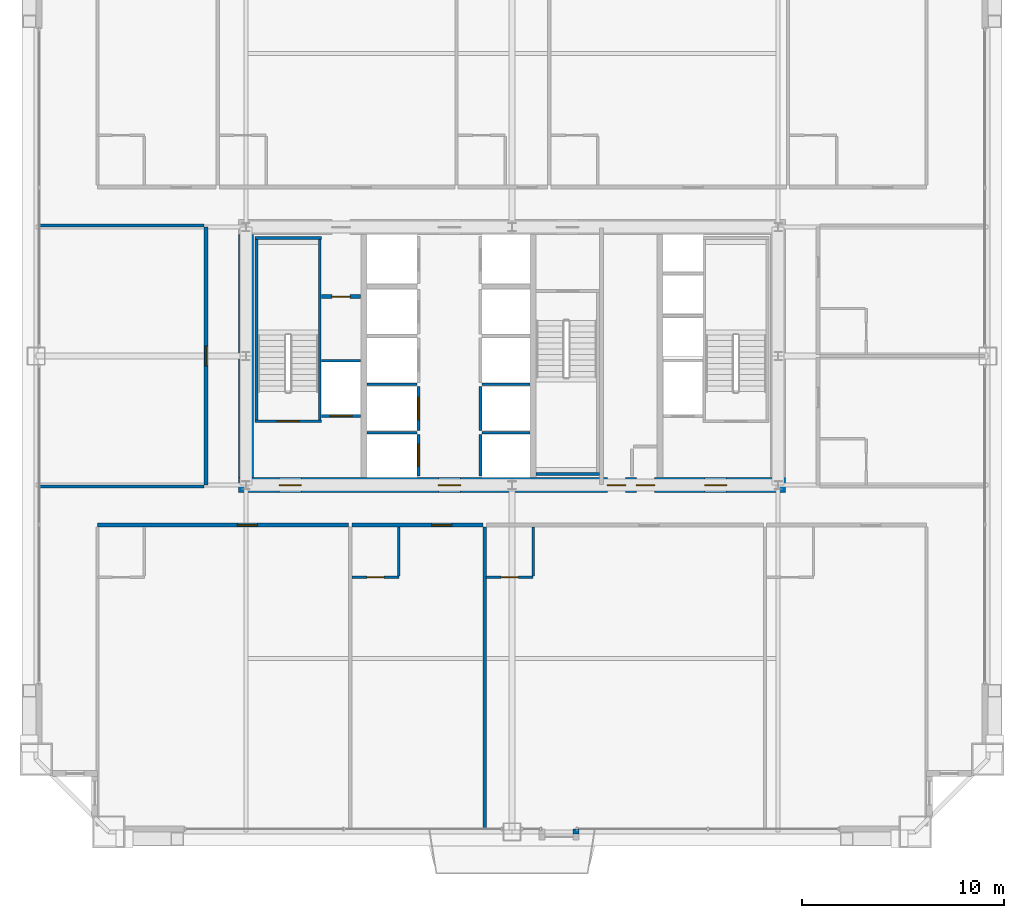
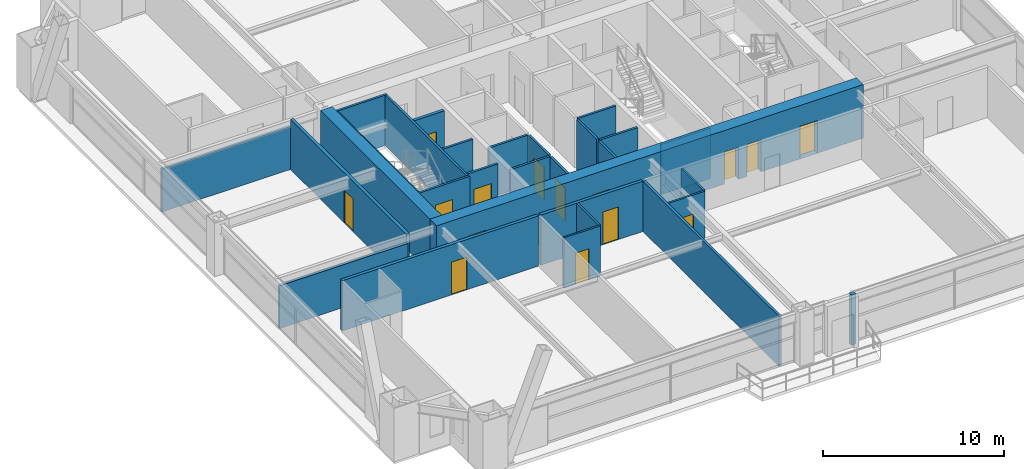
# One storey, part 37 of 41: 29 walls, 15 doors, 15 openings.
"""IFC4 building model written with IfcOpenShell, lengths in metres."""

from ifc_helpers import new_model, si_unit, direction, frame, frame_2d, origin, place, context, subcontext, project, spatial, rectangle, extrude, source, transform, mapped, material, layer, layer_set, type_object, element, fill, save


model = new_model("IFC4")

# Units and contexts
model_context = context("Model", 3, precision=1e-05, world=origin(), true_north=direction((0.0, 1.0)))
body_context = subcontext(model_context, "Body", "Model", "MODEL_VIEW")
ifc_project = project(units=[si_unit("LENGTHUNIT", "METRE"), si_unit("AREAUNIT", "SQUARE_METRE"), si_unit("VOLUMEUNIT", "CUBIC_METRE"), si_unit("PLANEANGLEUNIT", "RADIAN"), si_unit("MASSUNIT", "GRAM", prefix="KILO"), si_unit("THERMODYNAMICTEMPERATUREUNIT", "KELVIN"), si_unit("POWERUNIT", "WATT")], contexts=[model_context])

# Site, building, storey
site_placement = place(None, origin())
site = spatial("IfcSite", under=ifc_project, at=site_placement, CompositionType="ELEMENT")
building_placement = place(site_placement, origin())
building = spatial("IfcBuilding", under=site, at=building_placement, Name="Yuzanri Waterfront Tower", CompositionType="ELEMENT")
storey_placement = place(building_placement, frame((0.0, 0.0, 122.60009765625)))
storey = spatial("IfcBuildingStorey", under=building, at=storey_placement, Name="L32", CompositionType="ELEMENT", Elevation=122.60009765625)

# Wall, opening, door
ifc_material_1 = material(Name="Moisture-Resistant Gypsum Stud Wall", Category="gypsum")
ifc_layer_1 = layer(ifc_material_1, 0.1201171875)
ifc_layer_set_1 = layer_set([ifc_layer_1], Name="Moisture-Resistant Gypsum Stud Wall")
wall_type_1 = type_object("IfcWallType", Name="Bathroom and Kitchen Wet Partition 120", PredefinedType="PARTITIONING", material=ifc_layer_set_1)
wall_1_placement = place(storey_placement, frame((29.06201171875, 14.840087890625, 0.0), z_axis=(0.0, 0.0, 1.0), x_axis=(1.0, 0.0, 0.0)))
wall_1 = element("IfcWall", 1, at=wall_1_placement, inside=storey, type_object=wall_type_1, Name="L32 Partition UW-L32-S2-BS", PredefinedType="PARTITIONING", context=body_context, shape_type="SweptSolid", body=[
    extrude(rectangle(XDim=2.330078125, YDim=0.1201171875, at=frame_2d((1.1650390625, 0.0))), origin(), (0.0, 0.0, 1.0), 3.3798828125),
])
opening_1_placement = place(wall_1_placement, frame((0.739990234375, 0.0, 0.0)))
opening_1 = element("IfcOpeningElement", 2, at=opening_1_placement, cuts=wall_1, Name="Opening ID-0850", PredefinedType="OPENING", context=body_context, shape_type="SweptSolid", body=[
    extrude(rectangle(XDim=0.85009765625, YDim=2.10009765625, at=frame_2d((0.425048828125, 1.050048828125))), frame((0.0, 0.074951171875, 0.0), z_axis=(0.0, -1.0, 0.0), x_axis=(1.0, 0.0, 0.0)), (0.0, 0.0, 1.0), 0.14990234375),
])
ifc_material_2 = material(Name="Moisture-Resistant Lacquered Timber", Category="wood")
door_type_1 = type_object("IfcDoorType", Name="En-Suite Bathroom and Kitchen Swing Door 850x2100", OperationType="NOTDEFINED", PredefinedType="DOOR", material=ifc_material_2)
shared_shape_1 = source(origin(), body_context, "Body", "SweptSolid", [
    extrude(rectangle(XDim=0.85009765625, YDim=2.10009765625, at=frame_2d((0.425048828125, 1.050048828125))), frame((0.0, 0.02490234375, 0.0), z_axis=(0.0, -1.0, 0.0), x_axis=(1.0, 0.0, 0.0)), (0.0, 0.0, 1.0), 0.050048828125),
])
door_1_placement = place(opening_1_placement, origin())
door_1 = element("IfcDoor", 3, at=door_1_placement, inside=storey, type_object=door_type_1, Name="L32 Guest En-Suite Door", OperationType="SINGLE_SWING_RIGHT", OverallHeight=2.10009765625, OverallWidth=0.85009765625, PredefinedType="DOOR", context=body_context, shape_type="MappedRepresentation", body=[
    mapped(shared_shape_1, transform((0.0, 0.0, 0.0), scale=1.0)),
])
fill(opening_1, door_1)

wall_2_placement = place(storey_placement, frame((35.722900390625, 14.840087890625, 0.0), z_axis=(0.0, 0.0, 1.0), x_axis=(1.0, 0.0, 0.0)))
wall_2 = element("IfcWall", 4, at=wall_2_placement, inside=storey, type_object=wall_type_1, Name="L32 Partition UW-L32-S3-BS", PredefinedType="PARTITIONING", context=body_context, shape_type="SweptSolid", body=[
    extrude(rectangle(XDim=2.330078125, YDim=0.1201171875, at=frame_2d((1.1650390625, 0.0))), origin(), (0.0, 0.0, 1.0), 3.3798828125),
])
opening_2_placement = place(wall_2_placement, frame((0.739990234375, 0.0, 0.0)))
opening_2 = element("IfcOpeningElement", 5, at=opening_2_placement, cuts=wall_2, Name="Opening ID-0850", PredefinedType="OPENING", context=body_context, shape_type="SweptSolid", body=[
    extrude(rectangle(XDim=0.85009765625, YDim=2.10009765625, at=frame_2d((0.425048828125, 1.050048828125))), frame((0.0, 0.074951171875, 0.0), z_axis=(0.0, -1.0, 0.0), x_axis=(1.0, 0.0, 0.0)), (0.0, 0.0, 1.0), 0.14990234375),
])
door_2_placement = place(opening_2_placement, origin())
door_2 = element("IfcDoor", 6, at=door_2_placement, inside=storey, type_object=door_type_1, Name="L32 Guest En-Suite Door", OperationType="SINGLE_SWING_RIGHT", OverallHeight=2.10009765625, OverallWidth=0.85009765625, PredefinedType="DOOR", context=body_context, shape_type="MappedRepresentation", body=[
    mapped(shared_shape_1, transform((0.0, 0.0, 0.0), scale=1.0)),
])
fill(opening_2, door_2)

# Wall, openings, doors
ifc_material_3 = material(Name="Concrete C55", Category="concrete")
ifc_layer_2 = layer(ifc_material_3, 0.75)
ifc_layer_set_2 = layer_set([ifc_layer_2], Name="Concrete C55")
wall_type_2 = type_object("IfcWallType", Name="Concrete C55 Low-Mid Zone Core Shear Wall 750", PredefinedType="SHEAR", material=ifc_layer_set_2)
wall_3_placement = place(storey_placement, frame((23.425048828125, 19.39990234375, 0.0), z_axis=(0.0, 0.0, 1.0), x_axis=(1.0, 0.0, 0.0)))
wall_3 = element("IfcWall", 7, at=wall_3_placement, inside=storey, type_object=wall_type_2, Name="L32 Core South Shear Wall", PredefinedType="SHEAR", context=body_context, shape_type="SweptSolid", body=[
    extrude(rectangle(XDim=27.14990234375, YDim=0.75, at=frame_2d((13.574951171875, 0.0))), origin(), (0.0, 0.0, 1.0), 3.599853515625),
])
opening_3_placement = place(wall_3_placement, frame((2.02490234375, 0.0, 0.0)))
opening_3 = element("IfcOpeningElement", 8, at=opening_3_placement, cuts=wall_3, Name="Opening FD-1100", PredefinedType="OPENING", context=body_context, shape_type="SweptSolid", body=[
    extrude(rectangle(XDim=1.10009765625, YDim=2.199951171875, at=frame_2d((0.550048828125, 1.10009765625))), frame((0.0, 0.389892578125, 0.0), z_axis=(0.0, -1.0, 0.0), x_axis=(1.0, 0.0, 0.0)), (0.0, 0.0, 1.0), 0.77978515625),
])
opening_4_placement = place(wall_3_placement, frame((9.925048828125, 0.0, 0.0)))
opening_4 = element("IfcOpeningElement", 9, at=opening_4_placement, cuts=wall_3, Name="Opening FD-1100", PredefinedType="OPENING", context=body_context, shape_type="SweptSolid", body=[
    extrude(rectangle(XDim=1.10009765625, YDim=2.199951171875, at=frame_2d((0.550048828125, 1.10009765625))), frame((0.0, 0.389892578125, 0.0), z_axis=(0.0, -1.0, 0.0), x_axis=(1.0, 0.0, 0.0)), (0.0, 0.0, 1.0), 0.77978515625),
])
opening_5_placement = place(wall_3_placement, frame((23.125, 0.0, 0.0)))
opening_5 = element("IfcOpeningElement", 10, at=opening_5_placement, cuts=wall_3, Name="Opening FD-1100", PredefinedType="OPENING", context=body_context, shape_type="SweptSolid", body=[
    extrude(rectangle(XDim=1.10009765625, YDim=2.199951171875, at=frame_2d((0.550048828125, 1.10009765625))), frame((0.0, 0.389892578125, 0.0), z_axis=(0.0, -1.0, 0.0), x_axis=(1.0, 0.0, 0.0)), (0.0, 0.0, 1.0), 0.77978515625),
])
opening_6_placement = place(wall_3_placement, frame((19.7451171875, 0.0, 0.0)))
opening_6 = element("IfcOpeningElement", 11, at=opening_6_placement, cuts=wall_3, Name="Opening FD-0900", PredefinedType="OPENING", context=body_context, shape_type="SweptSolid", body=[
    extrude(rectangle(XDim=0.89990234375, YDim=2.14990234375, at=frame_2d((0.449951171875, 1.074951171875))), frame((0.0, 0.389892578125, 0.0), z_axis=(0.0, -1.0, 0.0), x_axis=(1.0, 0.0, 0.0)), (0.0, 0.0, 1.0), 0.77978515625),
])
opening_7_placement = place(wall_3_placement, frame((18.304931640625, 0.0, 0.0)))
opening_7 = element("IfcOpeningElement", 12, at=opening_7_placement, cuts=wall_3, Name="Opening FD-0900", PredefinedType="OPENING", context=body_context, shape_type="SweptSolid", body=[
    extrude(rectangle(XDim=0.89990234375, YDim=2.14990234375, at=frame_2d((0.449951171875, 1.074951171875))), frame((0.0, 0.389892578125, 0.0), z_axis=(0.0, -1.0, 0.0), x_axis=(1.0, 0.0, 0.0)), (0.0, 0.0, 1.0), 0.77978515625),
])
ifc_material_4 = material(Name="Painted Galvanized Fire Steel", Category="steel")
door_type_2 = type_object("IfcDoorType", Name="Smoke-Proof Stair and Lobby Fire Door 1100x2200", OperationType="NOTDEFINED", PredefinedType="DOOR", material=ifc_material_4)
shared_shape_2 = source(origin(), body_context, "Body", "SweptSolid", [
    extrude(rectangle(XDim=1.10009765625, YDim=2.199951171875, at=frame_2d((0.550048828125, 1.10009765625))), frame((0.0, 0.02490234375, 0.0), z_axis=(0.0, -1.0, 0.0), x_axis=(1.0, 0.0, 0.0)), (0.0, 0.0, 1.0), 0.050048828125),
])
door_3_placement = place(opening_3_placement, origin())
door_3 = element("IfcDoor", 13, at=door_3_placement, inside=storey, type_object=door_type_2, Name="L32 West Firefighting Lobby Door", OperationType="SINGLE_SWING_RIGHT", OverallHeight=2.199951171875, OverallWidth=1.10009765625, PredefinedType="DOOR", context=body_context, shape_type="MappedRepresentation", body=[
    mapped(shared_shape_2, transform((0.0, 0.0, 0.0), scale=1.0)),
])
fill(opening_3, door_3)
door_4_placement = place(opening_4_placement, origin())
door_4 = element("IfcDoor", 14, at=door_4_placement, inside=storey, type_object=door_type_2, Name="L32 Central Lift Lobby South Door", OperationType="SINGLE_SWING_LEFT", OverallHeight=2.199951171875, OverallWidth=1.10009765625, PredefinedType="DOOR", context=body_context, shape_type="MappedRepresentation", body=[
    mapped(shared_shape_2, transform((0.0, 0.0, 0.0), scale=1.0)),
])
fill(opening_4, door_4)
door_5_placement = place(opening_5_placement, origin())
door_5 = element("IfcDoor", 15, at=door_5_placement, inside=storey, type_object=door_type_2, Name="L32 East Firefighting Lobby Door", OperationType="SINGLE_SWING_RIGHT", OverallHeight=2.199951171875, OverallWidth=1.10009765625, PredefinedType="DOOR", context=body_context, shape_type="MappedRepresentation", body=[
    mapped(shared_shape_2, transform((0.0, 0.0, 0.0), scale=1.0)),
])
fill(opening_5, door_5)
ifc_material_5 = material(Name="Painted Galvanized Fire Steel", Category="steel")
door_type_3 = type_object("IfcDoorType", Name="Riser and Service Room Fire Door 900x2150", OperationType="NOTDEFINED", PredefinedType="DOOR", material=ifc_material_5)
shared_shape_3 = source(origin(), body_context, "Body", "SweptSolid", [
    extrude(rectangle(XDim=0.89990234375, YDim=2.14990234375, at=frame_2d((0.449951171875, 1.074951171875))), frame((0.0, 0.02490234375, 0.0), z_axis=(0.0, -1.0, 0.0), x_axis=(1.0, 0.0, 0.0)), (0.0, 0.0, 1.0), 0.050048828125),
])
door_6_placement = place(opening_6_placement, origin())
door_6 = element("IfcDoor", 16, at=door_6_placement, inside=storey, type_object=door_type_3, Name="L32 East Wet Riser Door", OperationType="SINGLE_SWING_LEFT", OverallHeight=2.14990234375, OverallWidth=0.89990234375, PredefinedType="DOOR", context=body_context, shape_type="MappedRepresentation", body=[
    mapped(shared_shape_3, transform((0.0, 0.0, 0.0), scale=1.0)),
])
fill(opening_6, door_6)
door_7_placement = place(opening_7_placement, origin())
door_7 = element("IfcDoor", 17, at=door_7_placement, inside=storey, type_object=door_type_3, Name="L32 Housekeeping Room", OperationType="SINGLE_SWING_RIGHT", OverallHeight=2.14990234375, OverallWidth=0.89990234375, PredefinedType="DOOR", context=body_context, shape_type="MappedRepresentation", body=[
    mapped(shared_shape_3, transform((0.0, 0.0, 0.0), scale=1.0)),
])
fill(opening_7, door_7)

# Wall, opening, door
ifc_material_6 = material(Name="Concrete C40", Category="concrete")
ifc_layer_3 = layer(ifc_material_6, 0.139892578125)
ifc_layer_set_3 = layer_set([ifc_layer_3], Name="Concrete C40")
wall_type_3 = type_object("IfcWallType", Name="Core Stair Liner and Hoistway Shaft Wall 140", PredefinedType="SOLIDWALL", material=ifc_layer_set_3)
wall_4_placement = place(storey_placement, frame((27.56005859375, 22.830078125, 0.0), z_axis=(0.0, 0.0, 1.0), x_axis=(1.0, 0.0, 0.0)))
wall_4 = element("IfcWall", 18, at=wall_4_placement, inside=storey, type_object=wall_type_3, Name="L32 Lift FL-01 Front Shaft Wall", PredefinedType="SOLIDWALL", context=body_context, shape_type="SweptSolid", body=[
    extrude(rectangle(XDim=1.919921875, YDim=0.139892578125, at=frame_2d((0.9599609375, 0.0))), origin(), (0.0, 0.0, 1.0), 3.3798828125),
])
opening_8_placement = place(wall_4_placement, frame((0.409912109375, 0.0, 0.0)))
opening_8 = element("IfcOpeningElement", 19, at=opening_8_placement, cuts=wall_4, Name="Opening LD-FL-01", PredefinedType="OPENING", context=body_context, shape_type="SweptSolid", body=[
    extrude(rectangle(XDim=1.10009765625, YDim=2.199951171875, at=frame_2d((0.550048828125, 1.10009765625))), frame((0.0, 0.0849609375, 0.0), z_axis=(0.0, -1.0, 0.0), x_axis=(1.0, 0.0, 0.0)), (0.0, 0.0, 1.0), 0.169677734375),
])
ifc_material_7 = material(Name="Brushed Bronze and Stainless Steel Cab", Category="steel")
door_type_4 = type_object("IfcDoorType", Name="Center-Parting Bronze Lift Landing Sliding Door 1100x2200", OperationType="NOTDEFINED", PredefinedType="DOOR", material=ifc_material_7)
shared_shape_4 = source(origin(), body_context, "Body", "SweptSolid", [
    extrude(rectangle(XDim=1.10009765625, YDim=2.199951171875, at=frame_2d((0.550048828125, 1.10009765625))), frame((0.0, 0.02490234375, 0.0), z_axis=(0.0, -1.0, 0.0), x_axis=(1.0, 0.0, 0.0)), (0.0, 0.0, 1.0), 0.050048828125),
])
door_8_placement = place(opening_8_placement, origin())
door_8 = element("IfcDoor", 20, at=door_8_placement, inside=storey, type_object=door_type_4, Name="L32 FL-01 Lift Landing Sliding Door", OperationType="SLIDING_TO_LEFT", OverallHeight=2.199951171875, OverallWidth=1.10009765625, PredefinedType="DOOR", context=body_context, shape_type="MappedRepresentation", body=[
    mapped(shared_shape_4, transform((0.0, 0.0, 0.0), scale=1.0)),
])
fill(opening_8, door_8)

wall_5_placement = place(storey_placement, frame((32.3701171875, 19.860107421875, 0.0), z_axis=(0.0, 0.0, 1.0), x_axis=(0.0, 1.0, 0.0)))
wall_5 = element("IfcWall", 21, at=wall_5_placement, inside=storey, type_object=wall_type_3, Name="L32 Lift PL-01 Front Shaft Wall", PredefinedType="SOLIDWALL", context=body_context, shape_type="SweptSolid", body=[
    extrude(rectangle(XDim=2.039794921875, YDim=0.139892578125, at=frame_2d((1.02001953125, 0.0))), origin(), (0.0, 0.0, 1.0), 3.3798828125),
])
opening_9_placement = place(wall_5_placement, frame((0.469970703125, 0.0, 0.0)))
opening_9 = element("IfcOpeningElement", 22, at=opening_9_placement, cuts=wall_5, Name="Opening LD-PL-01", PredefinedType="OPENING", context=body_context, shape_type="SweptSolid", body=[
    extrude(rectangle(XDim=1.10009765625, YDim=2.199951171875, at=frame_2d((0.550048828125, 1.10009765625))), frame((0.0, 0.0849609375, 0.0), z_axis=(0.0, -1.0, 0.0), x_axis=(1.0, 0.0, 0.0)), (0.0, 0.0, 1.0), 0.169677734375),
])
door_9_placement = place(opening_9_placement, origin())
door_9 = element("IfcDoor", 23, at=door_9_placement, inside=storey, type_object=door_type_4, Name="L32 PL-01 Lift Landing Sliding Door", OperationType="SLIDING_TO_LEFT", OverallHeight=2.199951171875, OverallWidth=1.10009765625, PredefinedType="DOOR", context=body_context, shape_type="MappedRepresentation", body=[
    mapped(shared_shape_4, transform((0.0, 0.0, 0.0), scale=1.0)),
])
fill(opening_9, door_9)

wall_6_placement = place(storey_placement, frame((32.3701171875, 22.10009765625, 0.0), z_axis=(0.0, 0.0, 1.0), x_axis=(0.0, 1.0, 0.0)))
wall_6 = element("IfcWall", 24, at=wall_6_placement, inside=storey, type_object=wall_type_3, Name="L32 Lift PL-02 Front Shaft Wall", PredefinedType="SOLIDWALL", context=body_context, shape_type="SweptSolid", body=[
    extrude(rectangle(XDim=2.199951171875, YDim=0.139892578125, at=frame_2d((1.10009765625, 0.0))), origin(), (0.0, 0.0, 1.0), 3.3798828125),
])
opening_10_placement = place(wall_6_placement, frame((0.550048828125, 0.0, 0.0)))
opening_10 = element("IfcOpeningElement", 25, at=opening_10_placement, cuts=wall_6, Name="Opening LD-PL-02", PredefinedType="OPENING", context=body_context, shape_type="SweptSolid", body=[
    extrude(rectangle(XDim=1.10009765625, YDim=2.199951171875, at=frame_2d((0.550048828125, 1.10009765625))), frame((0.0, 0.0849609375, 0.0), z_axis=(0.0, -1.0, 0.0), x_axis=(1.0, 0.0, 0.0)), (0.0, 0.0, 1.0), 0.169677734375),
])
door_10_placement = place(opening_10_placement, origin())
door_10 = element("IfcDoor", 26, at=door_10_placement, inside=storey, type_object=door_type_4, Name="L32 PL-02 Lift Landing Sliding Door", OperationType="SLIDING_TO_RIGHT", OverallHeight=2.199951171875, OverallWidth=1.10009765625, PredefinedType="DOOR", context=body_context, shape_type="MappedRepresentation", body=[
    mapped(shared_shape_4, transform((0.0, 0.0, 0.0), scale=1.0)),
])
fill(opening_10, door_10)

wall_7_placement = place(storey_placement, frame((24.260009765625, 22.570068359375, 0.0), z_axis=(0.0, 0.0, 1.0), x_axis=(1.0, 0.0, 0.0)))
wall_7 = element("IfcWall", 27, at=wall_7_placement, inside=storey, type_object=wall_type_3, Name="L32 Shaft Wall STW-L32-ST-01-S", PredefinedType="SOLIDWALL", context=body_context, shape_type="SweptSolid", body=[
    extrude(rectangle(XDim=3.280029296875, YDim=0.139892578125, at=frame_2d((1.64013671875, 0.0))), origin(), (0.0, 0.0, 1.0), 3.3798828125),
])
opening_11_placement = place(wall_7_placement, frame((1.090087890625, 0.0, 0.0)))
opening_11 = element("IfcOpeningElement", 28, at=opening_11_placement, cuts=wall_7, Name="Opening FD-1100", PredefinedType="OPENING", context=body_context, shape_type="SweptSolid", body=[
    extrude(rectangle(XDim=1.10009765625, YDim=2.199951171875, at=frame_2d((0.550048828125, 1.10009765625))), frame((0.0, 0.0849609375, 0.0), z_axis=(0.0, -1.0, 0.0), x_axis=(1.0, 0.0, 0.0)), (0.0, 0.0, 1.0), 0.169677734375),
])
door_11_placement = place(opening_11_placement, origin())
door_11 = element("IfcDoor", 29, at=door_11_placement, inside=storey, type_object=door_type_2, Name="L32 Stair ST-01 Fire Door", OperationType="SINGLE_SWING_LEFT", OverallHeight=2.199951171875, OverallWidth=1.10009765625, PredefinedType="DOOR", context=body_context, shape_type="MappedRepresentation", body=[
    mapped(shared_shape_2, transform((0.0, 0.0, 0.0), scale=1.0)),
])
fill(opening_11, door_11)

ifc_material_8 = material(Name="Autoclaved Aerated Concrete Blockwork", Category="masonry")
ifc_layer_4 = layer(ifc_material_8, 0.199951171875)
ifc_layer_set_4 = layer_set([ifc_layer_4], Name="Autoclaved Aerated Concrete Blockwork")
wall_type_4 = type_object("IfcWallType", Name="Corridor and Unit Party Fire Wall 200", PredefinedType="PARTITIONING", material=ifc_layer_set_4)
wall_8_placement = place(storey_placement, frame((27.56005859375, 28.75, 0.0), z_axis=(0.0, 0.0, 1.0), x_axis=(1.0, 0.0, 0.0)))
wall_8 = element("IfcWall", 30, at=wall_8_placement, inside=storey, type_object=wall_type_4, Name="L32 Partition CRW-L32-ERTR", PredefinedType="PARTITIONING", context=body_context, shape_type="SweptSolid", body=[
    extrude(rectangle(XDim=1.919921875, YDim=0.199951171875, at=frame_2d((0.9599609375, 0.0))), origin(), (0.0, 0.0, 1.0), 3.3798828125),
])
opening_12_placement = place(wall_8_placement, frame((0.510009765625, 0.0, 0.0)))
opening_12 = element("IfcOpeningElement", 31, at=opening_12_placement, cuts=wall_8, Name="Opening FD-0900", PredefinedType="OPENING", context=body_context, shape_type="SweptSolid", body=[
    extrude(rectangle(XDim=0.89990234375, YDim=2.14990234375, at=frame_2d((0.449951171875, 1.074951171875))), frame((0.0, 0.11474609375, 0.0), z_axis=(0.0, -1.0, 0.0), x_axis=(1.0, 0.0, 0.0)), (0.0, 0.0, 1.0), 0.229736328125),
])
door_12_placement = place(opening_12_placement, origin())
door_12 = element("IfcDoor", 32, at=door_12_placement, inside=storey, type_object=door_type_3, Name="L32 Electrical Riser Door", OperationType="SINGLE_SWING_RIGHT", OverallHeight=2.14990234375, OverallWidth=0.89990234375, PredefinedType="DOOR", context=body_context, shape_type="MappedRepresentation", body=[
    mapped(shared_shape_3, transform((0.0, 0.0, 0.0), scale=1.0)),
])
fill(opening_12, door_12)

wall_9_placement = place(storey_placement, frame((16.43994140625, 17.419921875, 0.0), z_axis=(0.0, 0.0, 1.0), x_axis=(1.0, 0.0, 0.0)))
wall_9 = element("IfcWall", 33, at=wall_9_placement, inside=storey, type_object=wall_type_4, Name="L32 Partition UW-L32-S1-CN", PredefinedType="PARTITIONING", context=body_context, shape_type="SweptSolid", body=[
    extrude(rectangle(XDim=12.462158203125, YDim=0.199951171875, at=frame_2d((6.23095703125, 0.0))), origin(), (0.0, 0.0, 1.0), 3.3798828125),
])
opening_13_placement = place(wall_9_placement, frame((6.93603515625, 0.0, 0.0)))
opening_13 = element("IfcOpeningElement", 34, at=opening_13_placement, cuts=wall_9, Name="Opening FD-1000", PredefinedType="OPENING", context=body_context, shape_type="SweptSolid", body=[
    extrude(rectangle(XDim=1.0, YDim=2.199951171875, at=frame_2d((0.5, 1.10009765625))), frame((0.0, 0.11474609375, 0.0), z_axis=(0.0, -1.0, 0.0), x_axis=(1.0, 0.0, 0.0)), (0.0, 0.0, 1.0), 0.229736328125),
])
ifc_material_9 = material(Name="Engineered Oak Fire-Rated Timber", Category="wood")
door_type_5 = type_object("IfcDoorType", Name="Guestroom and Apartment Entrance Fire Door 1000x2200", OperationType="NOTDEFINED", PredefinedType="DOOR", material=ifc_material_9)
shared_shape_5 = source(origin(), body_context, "Body", "SweptSolid", [
    extrude(rectangle(XDim=1.0, YDim=2.199951171875, at=frame_2d((0.5, 1.10009765625))), frame((0.0, 0.02490234375, 0.0), z_axis=(0.0, -1.0, 0.0), x_axis=(1.0, 0.0, 0.0)), (0.0, 0.0, 1.0), 0.050048828125),
])
door_13_placement = place(opening_13_placement, origin())
door_13 = element("IfcDoor", 35, at=door_13_placement, inside=storey, type_object=door_type_5, Name="L32 Presidential Riverfront Suite Entrance Door", OperationType="SINGLE_SWING_LEFT", OverallHeight=2.199951171875, OverallWidth=1.0, PredefinedType="DOOR", context=body_context, shape_type="MappedRepresentation", body=[
    mapped(shared_shape_5, transform((0.0, 0.0, 0.0), scale=1.0)),
])
fill(opening_13, door_13)

wall_10_placement = place(storey_placement, frame((29.06201171875, 17.419921875, 0.0), z_axis=(0.0, 0.0, 1.0), x_axis=(1.0, 0.0, 0.0)))
wall_10 = element("IfcWall", 36, at=wall_10_placement, inside=storey, type_object=wall_type_4, Name="L32 Partition UW-L32-S2-CN", PredefinedType="PARTITIONING", context=body_context, shape_type="SweptSolid", body=[
    extrude(rectangle(XDim=6.5009765625, YDim=0.199951171875, at=frame_2d((3.25048828125, 0.0))), origin(), (0.0, 0.0, 1.0), 3.3798828125),
])
opening_14_placement = place(wall_10_placement, frame((3.955078125, 0.0, 0.0)))
opening_14 = element("IfcOpeningElement", 37, at=opening_14_placement, cuts=wall_10, Name="Opening FD-1000", PredefinedType="OPENING", context=body_context, shape_type="SweptSolid", body=[
    extrude(rectangle(XDim=1.0, YDim=2.199951171875, at=frame_2d((0.5, 1.10009765625))), frame((0.0, 0.11474609375, 0.0), z_axis=(0.0, -1.0, 0.0), x_axis=(1.0, 0.0, 0.0)), (0.0, 0.0, 1.0), 0.229736328125),
])
door_14_placement = place(opening_14_placement, origin())
door_14 = element("IfcDoor", 38, at=door_14_placement, inside=storey, type_object=door_type_5, Name="L32 Presidential Riverfront Suite Entrance Door", OperationType="SINGLE_SWING_LEFT", OverallHeight=2.199951171875, OverallWidth=1.0, PredefinedType="DOOR", context=body_context, shape_type="MappedRepresentation", body=[
    mapped(shared_shape_5, transform((0.0, 0.0, 0.0), scale=1.0)),
])
fill(opening_14, door_14)

wall_11_placement = place(storey_placement, frame((21.820068359375, 19.409912109375, 0.0), z_axis=(0.0, 0.0, 1.0), x_axis=(0.0, 1.0, 0.0)))
wall_11 = element("IfcWall", 39, at=wall_11_placement, inside=storey, type_object=wall_type_4, Name="L32 Partition UW-L32-W1-CW", PredefinedType="PARTITIONING", context=body_context, shape_type="SweptSolid", body=[
    extrude(rectangle(XDim=12.780029296875, YDim=0.199951171875, at=frame_2d((6.39013671875, 0.0))), origin(), (0.0, 0.0, 1.0), 3.3798828125),
])
opening_15_placement = place(wall_11_placement, frame((5.889892578125, 0.0, 0.0)))
opening_15 = element("IfcOpeningElement", 40, at=opening_15_placement, cuts=wall_11, Name="Opening FD-1000", PredefinedType="OPENING", context=body_context, shape_type="SweptSolid", body=[
    extrude(rectangle(XDim=1.0, YDim=2.199951171875, at=frame_2d((0.5, 1.10009765625))), frame((0.0, 0.11474609375, 0.0), z_axis=(0.0, -1.0, 0.0), x_axis=(1.0, 0.0, 0.0)), (0.0, 0.0, 1.0), 0.229736328125),
])
door_15_placement = place(opening_15_placement, origin())
door_15 = element("IfcDoor", 41, at=door_15_placement, inside=storey, type_object=door_type_5, Name="L32 West Banquet Dining Hall Entrance Door", OperationType="SINGLE_SWING_LEFT", OverallHeight=2.199951171875, OverallWidth=1.0, PredefinedType="DOOR", context=body_context, shape_type="MappedRepresentation", body=[
    mapped(shared_shape_5, transform((0.0, 0.0, 0.0), scale=1.0)),
])
fill(opening_15, door_15)

# Walls
shared_shape_6 = source(origin(), body_context, "Body", "SweptSolid", [
    extrude(rectangle(XDim=12.050048828125, YDim=0.75, at=frame_2d((6.02490234375, 0.0))), origin(), (0.0, 0.0, 1.0), 3.599853515625),
])
wall_12_placement = place(storey_placement, frame((23.800048828125, 19.77490234375, 0.0), z_axis=(0.0, 0.0, 1.0), x_axis=(0.0, 1.0, 0.0)))
element("IfcWall", 42, at=wall_12_placement, inside=storey, type_object=wall_type_2, Name="L32 Core West Shear Wall", PredefinedType="SHEAR", context=body_context, shape_type="MappedRepresentation", body=[
    mapped(shared_shape_6, transform((0.0, 0.0, 0.0), scale=1.0)),
])
ifc_material_10 = material(Name="Honed Chongqing Dark Basalt Stone", Category="masonry")
ifc_layer_5 = layer(ifc_material_10, 0.300048828125)
ifc_layer_set_5 = layer_set([ifc_layer_5], Name="Honed Chongqing Dark Basalt Stone")
wall_type_5 = type_object("IfcWallType", Name="Bronze Rainscreen Insulated Spandrel Portal Wall 300", PredefinedType="SOLIDWALL", material=ifc_layer_set_5)
shared_shape_7 = source(origin(), body_context, "Body", "SweptSolid", [
    extrude(rectangle(XDim=0.25, YDim=0.300048828125, at=frame_2d((0.125, 0.0))), origin(), (0.0, 0.0, 1.0), 3.3798828125),
])
wall_13_placement = place(storey_placement, frame((40.178955078125, 2.10009765625, 0.0), z_axis=(0.0, 0.0, 1.0), x_axis=(0.0, 1.0, 0.0)))
element("IfcWall", 43, at=wall_13_placement, inside=storey, type_object=wall_type_5, Name="L32 S Terrace Portal Right Return", PredefinedType="SOLIDWALL", context=body_context, shape_type="MappedRepresentation", body=[
    mapped(shared_shape_7, transform((0.0, 0.0, 0.0), scale=1.0)),
])
shared_shape_8 = source(origin(), body_context, "Body", "SweptSolid", [
    extrude(rectangle(XDim=1.919921875, YDim=0.139892578125, at=frame_2d((0.9599609375, 0.0))), origin(), (0.0, 0.0, 1.0), 3.3798828125),
])
wall_14_placement = place(storey_placement, frame((27.56005859375, 25.570068359375, 0.0), z_axis=(0.0, 0.0, 1.0), x_axis=(1.0, 0.0, 0.0)))
element("IfcWall", 44, at=wall_14_placement, inside=storey, type_object=wall_type_3, Name="L32 Lift FL-01 Back Shaft Wall", PredefinedType="SOLIDWALL", context=body_context, shape_type="MappedRepresentation", body=[
    mapped(shared_shape_8, transform((0.0, 0.0, 0.0), scale=1.0)),
])
shared_shape_9 = source(origin(), body_context, "Body", "SweptSolid", [
    extrude(rectangle(XDim=2.5, YDim=0.139892578125, at=frame_2d((1.25, 0.0))), origin(), (0.0, 0.0, 1.0), 3.3798828125),
])
for number, where, z_axis, x_axis, name in (
    (45, (29.800048828125, 22.0, 0.0), (0.0, 0.0, 1.0), (1.0, 0.0, 0.0), "L32 Lift PL-01 Divider Wall"),
    (46, (29.800048828125, 24.39990234375, 0.0), (0.0, 0.0, 1.0), (1.0, 0.0, 0.0), "L32 Lift PL-02 Divider Wall"),
):
    element("IfcWall", number, at=place(storey_placement, frame(where, z_axis=z_axis, x_axis=x_axis)), inside=storey, type_object=wall_type_3, Name=name, PredefinedType="SOLIDWALL", context=body_context, shape_type="MappedRepresentation", body=[
        mapped(shared_shape_9, transform((0.0, 0.0, 0.0), scale=1.0)),
    ])
shared_shape_10 = source(origin(), body_context, "Body", "SweptSolid", [
    extrude(rectangle(XDim=2.039794921875, YDim=0.139892578125, at=frame_2d((1.02001953125, 0.0))), origin(), (0.0, 0.0, 1.0), 3.3798828125),
])
wall_15_placement = place(storey_placement, frame((35.429931640625, 19.860107421875, 0.0), z_axis=(0.0, 0.0, 1.0), x_axis=(0.0, 1.0, 0.0)))
element("IfcWall", 47, at=wall_15_placement, inside=storey, type_object=wall_type_3, Name="L32 Lift PL-05 Front Shaft Wall", PredefinedType="SOLIDWALL", context=body_context, shape_type="MappedRepresentation", body=[
    mapped(shared_shape_10, transform((0.0, 0.0, 0.0), scale=1.0)),
])
shared_shape_11 = source(origin(), body_context, "Body", "SweptSolid", [
    extrude(rectangle(XDim=2.39990234375, YDim=0.139892578125, at=frame_2d((1.199951171875, 0.0))), origin(), (0.0, 0.0, 1.0), 3.3798828125),
])
for number, where, z_axis, x_axis, name in (
    (48, (35.5, 22.0, 0.0), (0.0, 0.0, 1.0), (1.0, 0.0, 0.0), "L32 Lift PL-05 Divider Wall"),
    (49, (35.5, 24.39990234375, 0.0), (0.0, 0.0, 1.0), (1.0, 0.0, 0.0), "L32 Lift PL-06 Divider Wall"),
):
    element("IfcWall", number, at=place(storey_placement, frame(where, z_axis=z_axis, x_axis=x_axis)), inside=storey, type_object=wall_type_3, Name=name, PredefinedType="SOLIDWALL", context=body_context, shape_type="MappedRepresentation", body=[
        mapped(shared_shape_11, transform((0.0, 0.0, 0.0), scale=1.0)),
    ])
shared_shape_12 = source(origin(), body_context, "Body", "SweptSolid", [
    extrude(rectangle(XDim=2.199951171875, YDim=0.139892578125, at=frame_2d((1.10009765625, 0.0))), origin(), (0.0, 0.0, 1.0), 3.3798828125),
])
wall_16_placement = place(storey_placement, frame((35.429931640625, 22.10009765625, 0.0), z_axis=(0.0, 0.0, 1.0), x_axis=(0.0, 1.0, 0.0)))
element("IfcWall", 50, at=wall_16_placement, inside=storey, type_object=wall_type_3, Name="L32 Lift PL-06 Front Shaft Wall", PredefinedType="SOLIDWALL", context=body_context, shape_type="MappedRepresentation", body=[
    mapped(shared_shape_12, transform((0.0, 0.0, 0.0), scale=1.0)),
])
shared_shape_13 = source(origin(), body_context, "Body", "SweptSolid", [
    extrude(rectangle(XDim=3.280029296875, YDim=0.139892578125, at=frame_2d((1.64013671875, 0.0))), origin(), (0.0, 0.0, 1.0), 3.3798828125),
])
wall_17_placement = place(storey_placement, frame((24.260009765625, 31.64990234375, 0.0), z_axis=(0.0, 0.0, 1.0), x_axis=(1.0, 0.0, 0.0)))
element("IfcWall", 51, at=wall_17_placement, inside=storey, type_object=wall_type_3, Name="L32 Stair ST-01 North Shaft Wall", PredefinedType="SOLIDWALL", context=body_context, shape_type="MappedRepresentation", body=[
    mapped(shared_shape_13, transform((0.0, 0.0, 0.0), scale=1.0)),
])
shared_shape_14 = source(origin(), body_context, "Body", "SweptSolid", [
    extrude(rectangle(XDim=8.940185546875, YDim=0.139892578125, at=frame_2d((4.47021484375, 0.0))), origin(), (0.0, 0.0, 1.0), 3.3798828125),
])
for number, where, z_axis, x_axis, name in (
    (52, (24.330078125, 22.639892578125, 0.0), (0.0, 0.0, 1.0), (0.0, 1.0, 0.0), "L32 Stair ST-01 West Shaft Wall"),
    (53, (27.469970703125, 22.639892578125, 0.0), (0.0, 0.0, 1.0), (0.0, 1.0, 0.0), "L32 Stair ST-01 East Shaft Wall"),
):
    element("IfcWall", number, at=place(storey_placement, frame(where, z_axis=z_axis, x_axis=x_axis)), inside=storey, type_object=wall_type_3, Name=name, PredefinedType="SOLIDWALL", context=body_context, shape_type="MappedRepresentation", body=[
        mapped(shared_shape_14, transform((0.0, 0.0, 0.0), scale=1.0)),
    ])
shared_shape_15 = source(origin(), body_context, "Body", "SweptSolid", [
    extrude(rectangle(XDim=3.14013671875, YDim=0.139892578125, at=frame_2d((1.570068359375, 0.0))), origin(), (0.0, 0.0, 1.0), 3.3798828125),
])
wall_18_placement = place(storey_placement, frame((38.199951171875, 19.949951171875, 0.0), z_axis=(0.0, 0.0, 1.0), x_axis=(1.0, 0.0, 0.0)))
element("IfcWall", 54, at=wall_18_placement, inside=storey, type_object=wall_type_3, Name="L32 Stair ST-03 South Shaft Wall", PredefinedType="SOLIDWALL", context=body_context, shape_type="MappedRepresentation", body=[
    mapped(shared_shape_15, transform((0.0, 0.0, 0.0), scale=1.0)),
])
shared_shape_16 = source(origin(), body_context, "Body", "SweptSolid", [
    extrude(rectangle(XDim=2.420166015625, YDim=0.1201171875, at=frame_2d((1.2099609375, 0.0))), origin(), (0.0, 0.0, 1.0), 3.3798828125),
])
for number, where, z_axis, x_axis, name in (
    (55, (31.39208984375, 14.89990234375, 0.0), (0.0, 0.0, 1.0), (0.0, 1.0, 0.0), "L32-S2 En-Suite Side Wall"),
    (56, (38.052978515625, 14.89990234375, 0.0), (0.0, 0.0, 1.0), (0.0, 1.0, 0.0), "L32-S3 En-Suite Side Wall"),
):
    element("IfcWall", number, at=place(storey_placement, frame(where, z_axis=z_axis, x_axis=x_axis)), inside=storey, type_object=wall_type_1, Name=name, PredefinedType="PARTITIONING", context=body_context, shape_type="MappedRepresentation", body=[
        mapped(shared_shape_16, transform((0.0, 0.0, 0.0), scale=1.0)),
    ])
ifc_material_11 = material(Name="Gypsum Fireboard Acoustic Stud Wall", Category="gypsum")
ifc_layer_6 = layer(ifc_material_11, 0.159912109375)
ifc_layer_set_6 = layer_set([ifc_layer_6], Name="Gypsum Fireboard Acoustic Stud Wall")
wall_type_6 = type_object("IfcWallType", Name="Acoustic Suite Demising Partition 160", PredefinedType="PARTITIONING", material=ifc_layer_set_6)
shared_shape_17 = source(origin(), body_context, "Body", "SweptSolid", [
    extrude(rectangle(XDim=8.169921875, YDim=0.159912109375, at=frame_2d((4.0849609375, 0.0))), origin(), (0.0, 0.0, 1.0), 2.875),
])
for number, where, z_axis, x_axis, name in (
    (57, (13.550048828125, 19.330078125, 0.0), (0.0, 0.0, 1.0), (1.0, 0.0, 0.0), "L32-W1 Wing South End Wall"),
    (58, (13.550048828125, 32.27001953125, 0.0), (0.0, 0.0, 1.0), (1.0, 0.0, 0.0), "L32-W1 Wing North End Wall"),
):
    element("IfcWall", number, at=place(storey_placement, frame(where, z_axis=z_axis, x_axis=x_axis)), inside=storey, type_object=wall_type_6, Name=name, PredefinedType="PARTITIONING", context=body_context, shape_type="MappedRepresentation", body=[
        mapped(shared_shape_17, transform((0.0, 0.0, 0.0), scale=1.0)),
    ])
shared_shape_18 = source(origin(), body_context, "Body", "SweptSolid", [
    extrude(rectangle(XDim=14.969970703125, YDim=0.159912109375, at=frame_2d((7.48486328125, 0.0))), origin(), (0.0, 0.0, 1.0), 3.3798828125),
])
wall_19_placement = place(storey_placement, frame((35.64306640625, 2.35009765625, 0.0), z_axis=(0.0, 0.0, 1.0), x_axis=(0.0, 1.0, 0.0)))
element("IfcWall", 59, at=wall_19_placement, inside=storey, type_object=wall_type_6, Name="L32-S2 Party Wall", PredefinedType="PARTITIONING", context=body_context, shape_type="MappedRepresentation", body=[
    mapped(shared_shape_18, transform((0.0, 0.0, 0.0), scale=1.0)),
])

save(model, "model.ifc")
